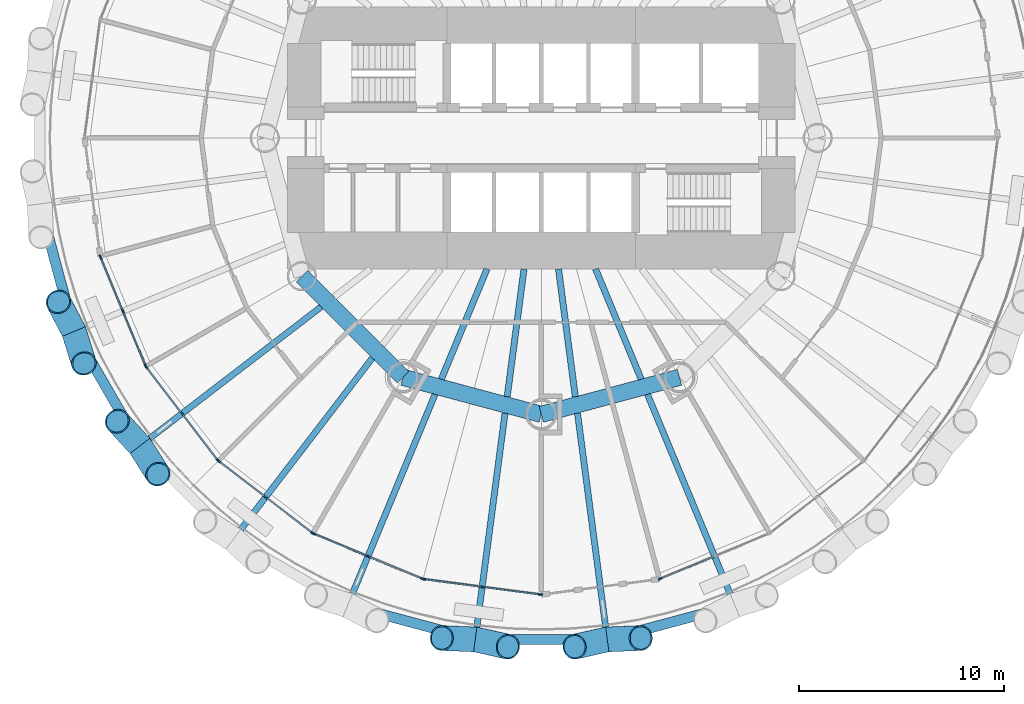
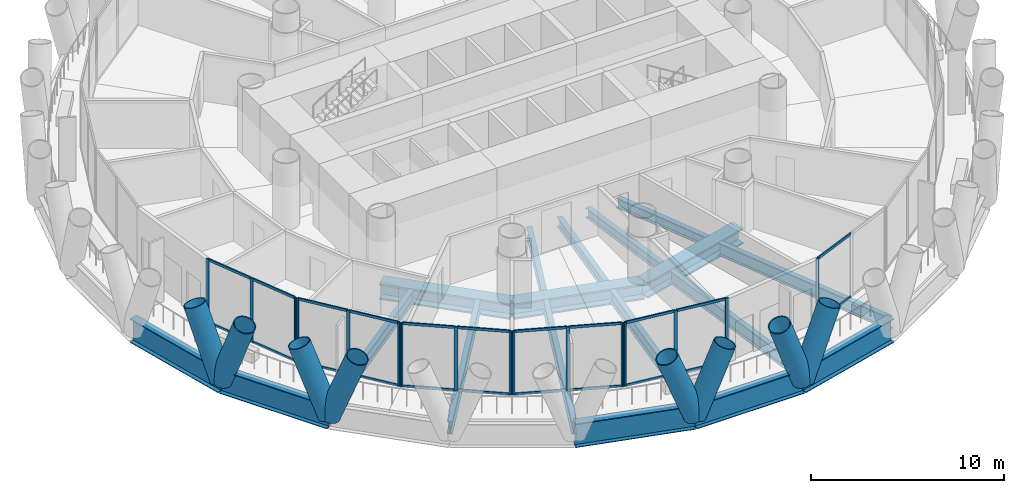
# One storey, part 2 of 15: 46 members, 18 beams, 6 elements without a shape of their own.
"""IFC4 building model written with IfcOpenShell, lengths in metres."""

from ifc_helpers import new_model, si_unit, direction, frame, origin, origin_2d, place, context, subcontext, project, spatial, rectangle, hollow_circle, i_section, extrude, material, material_profile, profile_set, type_object, element, aggregate, save


model = new_model("IFC4")

# Units and contexts
model_context = context("Model", 3, precision=1e-05, world=origin(), true_north=direction((0.0, 1.0)))
body_context = subcontext(model_context, "Body", "Model", "MODEL_VIEW")
ifc_project = project(units=[si_unit("LENGTHUNIT", "METRE"), si_unit("AREAUNIT", "SQUARE_METRE"), si_unit("VOLUMEUNIT", "CUBIC_METRE"), si_unit("PLANEANGLEUNIT", "RADIAN"), si_unit("MASSUNIT", "GRAM", prefix="KILO")], contexts=[model_context])

# Site, building, storey
site_placement = place(None, origin())
site = spatial("IfcSite", under=ifc_project, at=site_placement, CompositionType="ELEMENT")
building_placement = place(site_placement, origin())
building = spatial("IfcBuilding", under=site, at=building_placement, Name="Qaws Media Tower", CompositionType="ELEMENT")
storey_placement = place(building_placement, frame((0.0, 0.0, 51.199951171875)))
storey = spatial("IfcBuildingStorey", under=building, at=storey_placement, Name="L10", CompositionType="ELEMENT", Elevation=51.199951171875)

# Curtain wall, members
ifc_material_1 = material(Name="Aluminium and clear glass", Category="aluminium")
curtain_wall_type = type_object("IfcCurtainWallType", Name="Unitised curtain wall CW-A", PredefinedType="NOTDEFINED", material=ifc_material_1)
curtain_wall_1_placement = place(storey_placement, origin())
curtain_wall_1 = element("IfcCurtainWall", 1, at=curtain_wall_1_placement, inside=storey, type_object=curtain_wall_type, Name="CWA curtain wall L10-14", PredefinedType="NOTDEFINED")
ifc_material_2 = material(Name="Aluminium mullion", Category="aluminium")
ifc_material_profile_1 = material_profile(ifc_material_2, rectangle(XDim=0.080078125, YDim=0.199951171875, at=origin_2d()), Name="80x200")
ifc_profile_set_1 = profile_set([ifc_material_profile_1], Name="Aluminium mullion")
member_type_1 = type_object("IfcMemberType", Name="Curtain wall mullion 80x200", PredefinedType="MULLION", material=ifc_profile_set_1)
member_1_placement = place(storey_placement, frame((38.47509765625, 44.19140625, 0.0), z_axis=(0.0, 0.0, 1.0), x_axis=(0.923879550732, 0.382683388377, 0.0)))
member_1 = element("IfcMember", 2, at=member_1_placement, type_object=member_type_1, Name="CWA mullion 1", PredefinedType="MULLION", context=body_context, shape_type="SweptSolid", body=[
    extrude(rectangle(XDim=0.080078125, YDim=0.199951171875, at=origin_2d()), origin(), (0.0, 0.0, 1.0), 4.0400390625),
])
member_2_placement = place(storey_placement, frame((39.57373046875, 41.5390625, 0.0), z_axis=(0.0, 0.0, 1.0), x_axis=(0.923879550732, 0.382683388377, 0.0)))
member_2 = element("IfcMember", 3, at=member_2_placement, type_object=member_type_1, Name="CWA mullion 2", PredefinedType="MULLION", context=body_context, shape_type="SweptSolid", body=[
    extrude(rectangle(XDim=0.080078125, YDim=0.199951171875, at=origin_2d()), origin(), (0.0, 0.0, 1.0), 4.0400390625),
])
member_3_placement = place(storey_placement, frame((40.67236328125, 38.886962890625, 0.0), z_axis=(0.0, 0.0, 1.0), x_axis=(0.923879550732, 0.382683388377, 0.0)))
member_3 = element("IfcMember", 4, at=member_3_placement, type_object=member_type_1, Name="CWA mullion 3", PredefinedType="MULLION", context=body_context, shape_type="SweptSolid", body=[
    extrude(rectangle(XDim=0.080078125, YDim=0.199951171875, at=origin_2d()), origin(), (0.0, 0.0, 1.0), 4.0400390625),
])

curtain_wall_2_placement = place(storey_placement, origin())
curtain_wall_2 = element("IfcCurtainWall", 5, at=curtain_wall_2_placement, inside=storey, type_object=curtain_wall_type, Name="CWA curtain wall L10-15", PredefinedType="NOTDEFINED")
member_4_placement = place(storey_placement, frame((40.7119140625, 38.818359375, 0.0), z_axis=(0.0, 0.0, 1.0), x_axis=(0.793353266852, 0.608761524717, 0.0)))
member_4 = element("IfcMember", 6, at=member_4_placement, type_object=member_type_1, Name="CWA mullion 1", PredefinedType="MULLION", context=body_context, shape_type="SweptSolid", body=[
    extrude(rectangle(XDim=0.080078125, YDim=0.199951171875, at=origin_2d()), origin(), (0.0, 0.0, 1.0), 4.0400390625),
])
member_5_placement = place(storey_placement, frame((42.45947265625, 36.540771484375, 0.0), z_axis=(0.0, 0.0, 1.0), x_axis=(0.793353266852, 0.608761524717, 0.0)))
member_5 = element("IfcMember", 7, at=member_5_placement, type_object=member_type_1, Name="CWA mullion 2", PredefinedType="MULLION", context=body_context, shape_type="SweptSolid", body=[
    extrude(rectangle(XDim=0.080078125, YDim=0.199951171875, at=origin_2d()), origin(), (0.0, 0.0, 1.0), 4.0400390625),
])
member_6_placement = place(storey_placement, frame((44.207275390625, 34.26318359375, 0.0), z_axis=(0.0, 0.0, 1.0), x_axis=(0.793353266852, 0.608761524717, 0.0)))
member_6 = element("IfcMember", 8, at=member_6_placement, type_object=member_type_1, Name="CWA mullion 3", PredefinedType="MULLION", context=body_context, shape_type="SweptSolid", body=[
    extrude(rectangle(XDim=0.080078125, YDim=0.199951171875, at=origin_2d()), origin(), (0.0, 0.0, 1.0), 4.0400390625),
])

curtain_wall_3_placement = place(storey_placement, origin())
curtain_wall_3 = element("IfcCurtainWall", 9, at=curtain_wall_3_placement, inside=storey, type_object=curtain_wall_type, Name="CWA curtain wall L10-16", PredefinedType="NOTDEFINED")
member_7_placement = place(storey_placement, frame((44.26318359375, 34.207275390625, 0.0), z_axis=(0.0, 0.0, 1.0), x_axis=(0.608761524717, 0.793353266852, 0.0)))
member_7 = element("IfcMember", 10, at=member_7_placement, type_object=member_type_1, Name="CWA mullion 1", PredefinedType="MULLION", context=body_context, shape_type="SweptSolid", body=[
    extrude(rectangle(XDim=0.080078125, YDim=0.199951171875, at=origin_2d()), origin(), (0.0, 0.0, 1.0), 4.0400390625),
])
member_8_placement = place(storey_placement, frame((46.540771484375, 32.45947265625, 0.0), z_axis=(0.0, 0.0, 1.0), x_axis=(0.608761524717, 0.793353266852, 0.0)))
member_8 = element("IfcMember", 11, at=member_8_placement, type_object=member_type_1, Name="CWA mullion 2", PredefinedType="MULLION", context=body_context, shape_type="SweptSolid", body=[
    extrude(rectangle(XDim=0.080078125, YDim=0.199951171875, at=origin_2d()), origin(), (0.0, 0.0, 1.0), 4.0400390625),
])
member_9_placement = place(storey_placement, frame((48.818359375, 30.7119140625, 0.0), z_axis=(0.0, 0.0, 1.0), x_axis=(0.608761524717, 0.793353266852, 0.0)))
member_9 = element("IfcMember", 12, at=member_9_placement, type_object=member_type_1, Name="CWA mullion 3", PredefinedType="MULLION", context=body_context, shape_type="SweptSolid", body=[
    extrude(rectangle(XDim=0.080078125, YDim=0.199951171875, at=origin_2d()), origin(), (0.0, 0.0, 1.0), 4.0400390625),
])

curtain_wall_4_placement = place(storey_placement, origin())
curtain_wall_4 = element("IfcCurtainWall", 13, at=curtain_wall_4_placement, inside=storey, type_object=curtain_wall_type, Name="CWA curtain wall L10-17", PredefinedType="NOTDEFINED")
member_10_placement = place(storey_placement, frame((48.886962890625, 30.67236328125, 0.0), z_axis=(0.0, 0.0, 1.0), x_axis=(0.382683388377, 0.923879550732, 0.0)))
member_10 = element("IfcMember", 14, at=member_10_placement, type_object=member_type_1, Name="CWA mullion 1", PredefinedType="MULLION", context=body_context, shape_type="SweptSolid", body=[
    extrude(rectangle(XDim=0.080078125, YDim=0.199951171875, at=origin_2d()), origin(), (0.0, 0.0, 1.0), 4.0400390625),
])
member_11_placement = place(storey_placement, frame((51.5390625, 29.57373046875, 0.0), z_axis=(0.0, 0.0, 1.0), x_axis=(0.382683388377, 0.923879550732, 0.0)))
member_11 = element("IfcMember", 15, at=member_11_placement, type_object=member_type_1, Name="CWA mullion 2", PredefinedType="MULLION", context=body_context, shape_type="SweptSolid", body=[
    extrude(rectangle(XDim=0.080078125, YDim=0.199951171875, at=origin_2d()), origin(), (0.0, 0.0, 1.0), 4.0400390625),
])
member_12_placement = place(storey_placement, frame((54.19140625, 28.47509765625, 0.0), z_axis=(0.0, 0.0, 1.0), x_axis=(0.382683388377, 0.923879550732, 0.0)))
member_12 = element("IfcMember", 16, at=member_12_placement, type_object=member_type_1, Name="CWA mullion 3", PredefinedType="MULLION", context=body_context, shape_type="SweptSolid", body=[
    extrude(rectangle(XDim=0.080078125, YDim=0.199951171875, at=origin_2d()), origin(), (0.0, 0.0, 1.0), 4.0400390625),
])

curtain_wall_5_placement = place(storey_placement, origin())
curtain_wall_5 = element("IfcCurtainWall", 17, at=curtain_wall_5_placement, inside=storey, type_object=curtain_wall_type, Name="CWA curtain wall L10-18", PredefinedType="NOTDEFINED")
member_13_placement = place(storey_placement, frame((54.26806640625, 28.45458984375, 0.0), z_axis=(0.0, 0.0, 1.0), x_axis=(0.13052617322, 0.991444863875, 0.0)))
member_13 = element("IfcMember", 18, at=member_13_placement, type_object=member_type_1, Name="CWA mullion 1", PredefinedType="MULLION", context=body_context, shape_type="SweptSolid", body=[
    extrude(rectangle(XDim=0.080078125, YDim=0.199951171875, at=origin_2d()), origin(), (0.0, 0.0, 1.0), 4.0400390625),
])
member_14_placement = place(storey_placement, frame((57.1142578125, 28.079833984375, 0.0), z_axis=(0.0, 0.0, 1.0), x_axis=(0.13052617322, 0.991444863875, 0.0)))
member_14 = element("IfcMember", 19, at=member_14_placement, type_object=member_type_1, Name="CWA mullion 2", PredefinedType="MULLION", context=body_context, shape_type="SweptSolid", body=[
    extrude(rectangle(XDim=0.080078125, YDim=0.199951171875, at=origin_2d()), origin(), (0.0, 0.0, 1.0), 4.0400390625),
])
member_15_placement = place(storey_placement, frame((59.96044921875, 27.705322265625, 0.0), z_axis=(0.0, 0.0, 1.0), x_axis=(0.13052617322, 0.991444863875, 0.0)))
member_15 = element("IfcMember", 20, at=member_15_placement, type_object=member_type_1, Name="CWA mullion 3", PredefinedType="MULLION", context=body_context, shape_type="SweptSolid", body=[
    extrude(rectangle(XDim=0.080078125, YDim=0.199951171875, at=origin_2d()), origin(), (0.0, 0.0, 1.0), 4.0400390625),
])

# Curtain wall, member
curtain_wall_6_placement = place(storey_placement, origin())
curtain_wall_6 = element("IfcCurtainWall", 21, at=curtain_wall_6_placement, inside=storey, type_object=curtain_wall_type, Name="CWA curtain wall L10-20", PredefinedType="NOTDEFINED")
member_16_placement = place(storey_placement, frame((65.80859375, 28.47509765625, 0.0), z_axis=(0.0, 0.0, 1.0), x_axis=(-0.382683388377, 0.923879550732, 0.0)))
member_16 = element("IfcMember", 22, at=member_16_placement, type_object=member_type_1, Name="CWA mullion 1", PredefinedType="MULLION", context=body_context, shape_type="SweptSolid", body=[
    extrude(rectangle(XDim=0.080078125, YDim=0.199951171875, at=origin_2d()), origin(), (0.0, 0.0, 1.0), 4.0400390625),
])

# Member
ifc_material_3 = material(Name="Aluminium transom", Category="aluminium")
ifc_material_profile_2 = material_profile(ifc_material_3, rectangle(XDim=0.080078125, YDim=0.159912109375, at=origin_2d()), Name="80x160")
ifc_profile_set_2 = profile_set([ifc_material_profile_2], Name="Aluminium transom")
member_type_2 = type_object("IfcMemberType", Name="Curtain wall transom 80x160", PredefinedType="USERDEFINED", material=ifc_profile_set_2)
member_17_placement = place(storey_placement, frame((38.490478515625, 44.154541015625, 0.0400390625), z_axis=(0.38264539254, -0.923895288205, 0.0), x_axis=(0.923895288205, 0.38264539254, 0.0)))
member_17 = element("IfcMember", 23, at=member_17_placement, type_object=member_type_2, Name="CWA transom 1.1", ObjectType="TRANSOM", PredefinedType="USERDEFINED", context=body_context, shape_type="SweptSolid", body=[
    extrude(rectangle(XDim=0.080078125, YDim=0.159912109375, at=origin_2d()), origin(), (0.0, 0.0, 1.0), 2.790771484375),
])

member_18_placement = place(storey_placement, frame((38.490478515625, 44.154541015625, 4.0), z_axis=(0.38264539254, -0.923895288205, 0.0), x_axis=(0.923895288205, 0.38264539254, 0.0)))
member_18 = element("IfcMember", 24, at=member_18_placement, type_object=member_type_2, Name="CWA transom 1.2", ObjectType="TRANSOM", PredefinedType="USERDEFINED", context=body_context, shape_type="SweptSolid", body=[
    extrude(rectangle(XDim=0.080078125, YDim=0.159912109375, at=origin_2d()), origin(), (0.0, 0.0, 1.0), 2.790771484375),
])

member_19_placement = place(storey_placement, frame((39.589111328125, 41.502197265625, 0.0400390625), z_axis=(0.38264539254, -0.923895288205, 0.0), x_axis=(0.923895288205, 0.38264539254, 0.0)))
member_19 = element("IfcMember", 25, at=member_19_placement, type_object=member_type_2, Name="CWA transom 2.1", ObjectType="TRANSOM", PredefinedType="USERDEFINED", context=body_context, shape_type="SweptSolid", body=[
    extrude(rectangle(XDim=0.080078125, YDim=0.159912109375, at=origin_2d()), origin(), (0.0, 0.0, 1.0), 2.790771484375),
])

member_20_placement = place(storey_placement, frame((39.589111328125, 41.502197265625, 4.0), z_axis=(0.38264539254, -0.923895288205, 0.0), x_axis=(0.923895288205, 0.38264539254, 0.0)))
member_20 = element("IfcMember", 26, at=member_20_placement, type_object=member_type_2, Name="CWA transom 2.2", ObjectType="TRANSOM", PredefinedType="USERDEFINED", context=body_context, shape_type="SweptSolid", body=[
    extrude(rectangle(XDim=0.080078125, YDim=0.159912109375, at=origin_2d()), origin(), (0.0, 0.0, 1.0), 2.790771484375),
])

aggregate(curtain_wall_1, [member_1, member_2, member_3, member_17, member_18, member_19, member_20])

member_21_placement = place(storey_placement, frame((40.736328125, 38.78662109375, 0.0400390625), z_axis=(0.608767570739, -0.793348627538, 0.0), x_axis=(0.793348627538, 0.608767570739, 0.0)))
member_21 = element("IfcMember", 27, at=member_21_placement, type_object=member_type_2, Name="CWA transom 1.1", ObjectType="TRANSOM", PredefinedType="USERDEFINED", context=body_context, shape_type="SweptSolid", body=[
    extrude(rectangle(XDim=0.080078125, YDim=0.159912109375, at=origin_2d()), origin(), (0.0, 0.0, 1.0), 2.790771484375),
])

member_22_placement = place(storey_placement, frame((40.736328125, 38.78662109375, 4.0), z_axis=(0.608767570739, -0.793348627538, 0.0), x_axis=(0.793348627538, 0.608767570739, 0.0)))
member_22 = element("IfcMember", 28, at=member_22_placement, type_object=member_type_2, Name="CWA transom 1.2", ObjectType="TRANSOM", PredefinedType="USERDEFINED", context=body_context, shape_type="SweptSolid", body=[
    extrude(rectangle(XDim=0.080078125, YDim=0.159912109375, at=origin_2d()), origin(), (0.0, 0.0, 1.0), 2.790771484375),
])

member_23_placement = place(storey_placement, frame((42.48388671875, 36.509033203125, 0.0400390625), z_axis=(0.608767570739, -0.793348627538, 0.0), x_axis=(0.793348627538, 0.608767570739, 0.0)))
member_23 = element("IfcMember", 29, at=member_23_placement, type_object=member_type_2, Name="CWA transom 2.1", ObjectType="TRANSOM", PredefinedType="USERDEFINED", context=body_context, shape_type="SweptSolid", body=[
    extrude(rectangle(XDim=0.080078125, YDim=0.159912109375, at=origin_2d()), origin(), (0.0, 0.0, 1.0), 2.790771484375),
])

member_24_placement = place(storey_placement, frame((42.48388671875, 36.509033203125, 4.0), z_axis=(0.608767570739, -0.793348627538, 0.0), x_axis=(0.793348627538, 0.608767570739, 0.0)))
member_24 = element("IfcMember", 30, at=member_24_placement, type_object=member_type_2, Name="CWA transom 2.2", ObjectType="TRANSOM", PredefinedType="USERDEFINED", context=body_context, shape_type="SweptSolid", body=[
    extrude(rectangle(XDim=0.080078125, YDim=0.159912109375, at=origin_2d()), origin(), (0.0, 0.0, 1.0), 2.790771484375),
])

aggregate(curtain_wall_2, [member_4, member_5, member_6, member_21, member_22, member_23, member_24])

member_25_placement = place(storey_placement, frame((44.294921875, 34.182861328125, 0.0400390625), z_axis=(0.793348627538, -0.608767570739, 0.0), x_axis=(0.608767570739, 0.793348627538, 0.0)))
member_25 = element("IfcMember", 31, at=member_25_placement, type_object=member_type_2, Name="CWA transom 1.1", ObjectType="TRANSOM", PredefinedType="USERDEFINED", context=body_context, shape_type="SweptSolid", body=[
    extrude(rectangle(XDim=0.080078125, YDim=0.159912109375, at=origin_2d()), origin(), (0.0, 0.0, 1.0), 2.790771484375),
])

member_26_placement = place(storey_placement, frame((44.294921875, 34.182861328125, 4.0), z_axis=(0.793348627538, -0.608767570739, 0.0), x_axis=(0.608767570739, 0.793348627538, 0.0)))
member_26 = element("IfcMember", 32, at=member_26_placement, type_object=member_type_2, Name="CWA transom 1.2", ObjectType="TRANSOM", PredefinedType="USERDEFINED", context=body_context, shape_type="SweptSolid", body=[
    extrude(rectangle(XDim=0.080078125, YDim=0.159912109375, at=origin_2d()), origin(), (0.0, 0.0, 1.0), 2.790771484375),
])

member_27_placement = place(storey_placement, frame((46.572509765625, 32.435302734375, 0.0400390625), z_axis=(0.793348627538, -0.608767570739, 0.0), x_axis=(0.608767570739, 0.793348627538, 0.0)))
member_27 = element("IfcMember", 33, at=member_27_placement, type_object=member_type_2, Name="CWA transom 2.1", ObjectType="TRANSOM", PredefinedType="USERDEFINED", context=body_context, shape_type="SweptSolid", body=[
    extrude(rectangle(XDim=0.080078125, YDim=0.159912109375, at=origin_2d()), origin(), (0.0, 0.0, 1.0), 2.790771484375),
])

member_28_placement = place(storey_placement, frame((46.572509765625, 32.435302734375, 4.0), z_axis=(0.793348627538, -0.608767570739, 0.0), x_axis=(0.608767570739, 0.793348627538, 0.0)))
member_28 = element("IfcMember", 34, at=member_28_placement, type_object=member_type_2, Name="CWA transom 2.2", ObjectType="TRANSOM", PredefinedType="USERDEFINED", context=body_context, shape_type="SweptSolid", body=[
    extrude(rectangle(XDim=0.080078125, YDim=0.159912109375, at=origin_2d()), origin(), (0.0, 0.0, 1.0), 2.790771484375),
])

aggregate(curtain_wall_3, [member_7, member_8, member_9, member_25, member_26, member_27, member_28])

member_29_placement = place(storey_placement, frame((48.923828125, 30.656982421875, 0.0400390625), z_axis=(0.923895288205, -0.38264539254, 0.0), x_axis=(0.38264539254, 0.923895288205, 0.0)))
member_29 = element("IfcMember", 35, at=member_29_placement, type_object=member_type_2, Name="CWA transom 1.1", ObjectType="TRANSOM", PredefinedType="USERDEFINED", context=body_context, shape_type="SweptSolid", body=[
    extrude(rectangle(XDim=0.080078125, YDim=0.159912109375, at=origin_2d()), origin(), (0.0, 0.0, 1.0), 2.790771484375),
])

member_30_placement = place(storey_placement, frame((48.923828125, 30.656982421875, 4.0), z_axis=(0.923895288205, -0.38264539254, 0.0), x_axis=(0.38264539254, 0.923895288205, 0.0)))
member_30 = element("IfcMember", 36, at=member_30_placement, type_object=member_type_2, Name="CWA transom 1.2", ObjectType="TRANSOM", PredefinedType="USERDEFINED", context=body_context, shape_type="SweptSolid", body=[
    extrude(rectangle(XDim=0.080078125, YDim=0.159912109375, at=origin_2d()), origin(), (0.0, 0.0, 1.0), 2.790771484375),
])

member_31_placement = place(storey_placement, frame((51.576171875, 29.558349609375, 0.0400390625), z_axis=(0.923895288205, -0.38264539254, 0.0), x_axis=(0.38264539254, 0.923895288205, 0.0)))
member_31 = element("IfcMember", 37, at=member_31_placement, type_object=member_type_2, Name="CWA transom 2.1", ObjectType="TRANSOM", PredefinedType="USERDEFINED", context=body_context, shape_type="SweptSolid", body=[
    extrude(rectangle(XDim=0.080078125, YDim=0.159912109375, at=origin_2d()), origin(), (0.0, 0.0, 1.0), 2.790771484375),
])

member_32_placement = place(storey_placement, frame((51.576171875, 29.558349609375, 4.0), z_axis=(0.923895288205, -0.38264539254, 0.0), x_axis=(0.38264539254, 0.923895288205, 0.0)))
member_32 = element("IfcMember", 38, at=member_32_placement, type_object=member_type_2, Name="CWA transom 2.2", ObjectType="TRANSOM", PredefinedType="USERDEFINED", context=body_context, shape_type="SweptSolid", body=[
    extrude(rectangle(XDim=0.080078125, YDim=0.159912109375, at=origin_2d()), origin(), (0.0, 0.0, 1.0), 2.790771484375),
])

aggregate(curtain_wall_4, [member_10, member_11, member_12, member_29, member_30, member_31, member_32])

member_33_placement = place(storey_placement, frame((54.3076171875, 28.449462890625, 0.0400390625), z_axis=(0.991445062381, -0.130524665408, 0.0), x_axis=(0.130524665408, 0.991445062381, 0.0)))
member_33 = element("IfcMember", 39, at=member_33_placement, type_object=member_type_2, Name="CWA transom 1.1", ObjectType="TRANSOM", PredefinedType="USERDEFINED", context=body_context, shape_type="SweptSolid", body=[
    extrude(rectangle(XDim=0.080078125, YDim=0.159912109375, at=origin_2d()), origin(), (0.0, 0.0, 1.0), 2.790771484375),
])

member_34_placement = place(storey_placement, frame((54.3076171875, 28.449462890625, 4.0), z_axis=(0.991445062381, -0.130524665408, 0.0), x_axis=(0.130524665408, 0.991445062381, 0.0)))
member_34 = element("IfcMember", 40, at=member_34_placement, type_object=member_type_2, Name="CWA transom 1.2", ObjectType="TRANSOM", PredefinedType="USERDEFINED", context=body_context, shape_type="SweptSolid", body=[
    extrude(rectangle(XDim=0.080078125, YDim=0.159912109375, at=origin_2d()), origin(), (0.0, 0.0, 1.0), 2.790771484375),
])

member_35_placement = place(storey_placement, frame((57.15380859375, 28.07470703125, 0.0400390625), z_axis=(0.991445062381, -0.130524665408, 0.0), x_axis=(0.130524665408, 0.991445062381, 0.0)))
member_35 = element("IfcMember", 41, at=member_35_placement, type_object=member_type_2, Name="CWA transom 2.1", ObjectType="TRANSOM", PredefinedType="USERDEFINED", context=body_context, shape_type="SweptSolid", body=[
    extrude(rectangle(XDim=0.080078125, YDim=0.159912109375, at=origin_2d()), origin(), (0.0, 0.0, 1.0), 2.790771484375),
])

member_36_placement = place(storey_placement, frame((57.15380859375, 28.07470703125, 4.0), z_axis=(0.991445062381, -0.130524665408, 0.0), x_axis=(0.130524665408, 0.991445062381, 0.0)))
member_36 = element("IfcMember", 42, at=member_36_placement, type_object=member_type_2, Name="CWA transom 2.2", ObjectType="TRANSOM", PredefinedType="USERDEFINED", context=body_context, shape_type="SweptSolid", body=[
    extrude(rectangle(XDim=0.080078125, YDim=0.159912109375, at=origin_2d()), origin(), (0.0, 0.0, 1.0), 2.790771484375),
])

aggregate(curtain_wall_5, [member_13, member_14, member_15, member_33, member_34, member_35, member_36])

member_37_placement = place(storey_placement, frame((65.845458984375, 28.490478515625, 0.0400390625), z_axis=(0.923895288205, 0.38264539254, 0.0), x_axis=(-0.38264539254, 0.923895288205, 0.0)))
member_37 = element("IfcMember", 43, at=member_37_placement, type_object=member_type_2, Name="CWA transom 1.1", ObjectType="TRANSOM", PredefinedType="USERDEFINED", context=body_context, shape_type="SweptSolid", body=[
    extrude(rectangle(XDim=0.080078125, YDim=0.159912109375, at=origin_2d()), origin(), (0.0, 0.0, 1.0), 2.790771484375),
])

member_38_placement = place(storey_placement, frame((65.845458984375, 28.490478515625, 4.0), z_axis=(0.923895288205, 0.38264539254, 0.0), x_axis=(-0.38264539254, 0.923895288205, 0.0)))
member_38 = element("IfcMember", 44, at=member_38_placement, type_object=member_type_2, Name="CWA transom 1.2", ObjectType="TRANSOM", PredefinedType="USERDEFINED", context=body_context, shape_type="SweptSolid", body=[
    extrude(rectangle(XDim=0.080078125, YDim=0.159912109375, at=origin_2d()), origin(), (0.0, 0.0, 1.0), 2.790771484375),
])

aggregate(curtain_wall_6, [member_16, member_37, member_38])

# Members
ifc_material_4 = material(Name="Steel S460", Category="steel")
ifc_material_profile_3 = material_profile(ifc_material_4, hollow_circle(Radius=0.609619140625, WallThickness=0.06005859375, at=origin_2d()), Name="CHS 1219x60")
ifc_profile_set_3 = profile_set([ifc_material_profile_3], Name="Steel S460")
member_type_3 = type_object("IfcMemberType", Name="Diagrid member CHS 1219x60", PredefinedType="USERDEFINED", material=ifc_profile_set_3)
for number, where, z_axis, x_axis, name in (
    (45, (37.18017578125, 40.547607421875, -0.909912109375), (0.108230640717, -0.346251379112, 0.931877733865), (0.954458719978, 0.298343010406, 0.0), "DG1 diagrid L10 A14"),
    (46, (37.18017578125, 40.547607421875, -0.909912109375), (-0.168356184605, 0.321382639402, 0.931863398893), (-0.885816923301, -0.464034889199, 0.0), "DG1 diagrid L10 B14"),
    (47, (40.404052734375, 34.963623046875, -0.909912109375), (0.19419319901, -0.306483994421, 0.931856513967), (0.844711082907, 0.535222557834, 0.0), "DG1 diagrid L10 A15"),
    (48, (40.404052734375, 34.963623046875, -0.909912109375), (-0.24576691162, 0.266838837699, 0.931877491867), (-0.735552937584, -0.677467250877, 0.0), "DG1 diagrid L10 B15"),
    (49, (56.776123046875, 25.51123046875, -0.909912109375), (0.353994649017, -0.079411806497, 0.931869923035), (0.218890390153, 0.97574945406, 0.0), "DG1 diagrid L10 A18"),
    (50, (56.776123046875, 25.51123046875, -0.909912109375), (-0.362497534698, 0.014896416922, 0.931865673851), (-0.041059189611, -0.99915671591, 0.0), "DG1 diagrid L10 B18"),
    (51, (63.223876953125, 25.51123046875, -0.909912109375), (0.362497534698, 0.014896416922, 0.931865673851), (-0.041059189611, 0.99915671591, 0.0), "DG1 diagrid L10 A19"),
    (52, (63.223876953125, 25.51123046875, -0.909912109375), (-0.353994649017, -0.079411806497, 0.931869923035), (0.218890390153, -0.97574945406, 0.0), "DG1 diagrid L10 B19"),
):
    element("IfcMember", number, at=place(storey_placement, frame(where, z_axis=z_axis, x_axis=x_axis)), inside=storey, type_object=member_type_3, Name=name, ObjectType="DIAGRID", PredefinedType="USERDEFINED", context=body_context, shape_type="SweptSolid", body=[
        extrude(hollow_circle(Radius=0.609619140625, WallThickness=0.06005859375, at=origin_2d()), origin(), (0.0, 0.0, 1.0), 4.507080078125),
    ])

# Beams
ifc_material_5 = material(Name="Steel S460", Category="steel")
ifc_material_profile_4 = material_profile(ifc_material_5, i_section(OverallWidth=0.5, OverallDepth=1.5, WebThickness=0.02001953125, FlangeThickness=0.0400390625, at=origin_2d()), Name="PG 1500x500")
ifc_profile_set_4 = profile_set([ifc_material_profile_4], Name="Steel S460")
beam_type_1 = type_object("IfcBeamType", Name="Edge ring beam PG 1500x500", PredefinedType="BEAM", material=ifc_profile_set_4)
beam_1_placement = place(storey_placement, frame((35.51123046875, 46.776123046875, -0.909912109375), z_axis=(0.25882187829, -0.965925067134, 0.0), x_axis=(0.965925067134, 0.25882187829, 0.0)))
element("IfcBeam", 53, at=beam_1_placement, inside=storey, type_object=beam_type_1, Name="RB4 edge ring beam L10-13", PredefinedType="BEAM", context=body_context, shape_type="SweptSolid", body=[
    extrude(i_section(OverallWidth=0.5, OverallDepth=1.5, WebThickness=0.02001953125, FlangeThickness=0.0400390625, at=origin_2d()), origin(), (0.0, 0.0, 1.0), 6.4482421875),
])
beam_2_placement = place(storey_placement, frame((37.18017578125, 40.547607421875, -0.909912109375), z_axis=(0.499995588155, -0.866027950949, 0.0), x_axis=(0.866027950949, 0.499995588155, 0.0)))
element("IfcBeam", 54, at=beam_2_placement, inside=storey, type_object=beam_type_1, Name="RB4 edge ring beam L10-14", PredefinedType="BEAM", context=body_context, shape_type="SweptSolid", body=[
    extrude(i_section(OverallWidth=0.5, OverallDepth=1.5, WebThickness=0.02001953125, FlangeThickness=0.0400390625, at=origin_2d()), origin(), (0.0, 0.0, 1.0), 6.44775390625),
])
beam_3_placement = place(storey_placement, frame((50.547607421875, 27.18017578125, -0.909912109375), z_axis=(0.965925067134, -0.25882187829, 0.0), x_axis=(0.25882187829, 0.965925067134, 0.0)))
element("IfcBeam", 55, at=beam_3_placement, inside=storey, type_object=beam_type_1, Name="RB4 edge ring beam L10-17", PredefinedType="BEAM", context=body_context, shape_type="SweptSolid", body=[
    extrude(i_section(OverallWidth=0.5, OverallDepth=1.5, WebThickness=0.02001953125, FlangeThickness=0.0400390625, at=origin_2d()), origin(), (0.0, 0.0, 1.0), 6.4482421875),
])
beam_4_placement = place(storey_placement, frame((56.776123046875, 25.51123046875, -0.909912109375), z_axis=(1.0, 0.0, 0.0), x_axis=(0.0, 1.0, 0.0)))
element("IfcBeam", 56, at=beam_4_placement, inside=storey, type_object=beam_type_1, Name="RB4 edge ring beam L10-18", PredefinedType="BEAM", context=body_context, shape_type="SweptSolid", body=[
    extrude(i_section(OverallWidth=0.5, OverallDepth=1.5, WebThickness=0.02001953125, FlangeThickness=0.0400390625, at=origin_2d()), origin(), (0.0, 0.0, 1.0), 6.44775390625),
])
beam_5_placement = place(storey_placement, frame((63.223876953125, 25.51123046875, -0.909912109375), z_axis=(0.965925067134, 0.25882187829, 0.0), x_axis=(-0.25882187829, 0.965925067134, 0.0)))
element("IfcBeam", 57, at=beam_5_placement, inside=storey, type_object=beam_type_1, Name="RB4 edge ring beam L10-19", PredefinedType="BEAM", context=body_context, shape_type="SweptSolid", body=[
    extrude(i_section(OverallWidth=0.5, OverallDepth=1.5, WebThickness=0.02001953125, FlangeThickness=0.0400390625, at=origin_2d()), origin(), (0.0, 0.0, 1.0), 6.4482421875),
])
ifc_material_6 = material(Name="Steel S460", Category="steel")
ifc_material_profile_5 = material_profile(ifc_material_6, i_section(OverallWidth=0.800048828125, OverallDepth=1.0, WebThickness=0.0400390625, FlangeThickness=0.10009765625, at=origin_2d()), Name="PG 1000x800")
ifc_profile_set_5 = profile_set([ifc_material_profile_5], Name="Steel S460")
beam_type_2 = type_object("IfcBeamType", Name="Inner ring girder PG 1000x800", PredefinedType="BEAM", material=ifc_profile_set_5)
beam_6_placement = place(storey_placement, frame((48.30859375, 43.25, -0.659912109375), z_axis=(0.707106781187, -0.707106781187, 0.0), x_axis=(0.707106781187, 0.707106781187, 0.0)))
element("IfcBeam", 58, at=beam_6_placement, inside=storey, type_object=beam_type_2, Name="B3 inner ring beam L10 I08-I09", PredefinedType="BEAM", context=body_context, shape_type="SweptSolid", body=[
    extrude(i_section(OverallWidth=0.800048828125, OverallDepth=1.0, WebThickness=0.0400390625, FlangeThickness=0.10009765625, at=origin_2d()), origin(), (0.0, 0.0, 1.0), 6.98828125),
])
for number, where, z_axis, x_axis, name in (
    (59, (53.25, 38.30859375, -0.659912109375), (0.965928090778, -0.258810593767, 0.0), (0.258810593767, 0.965928090778, 0.0), "B3 inner ring beam L10 I09-I10"),
    (60, (60.0, 36.5, -0.659912109375), (0.965928090778, 0.258810593767, 0.0), (-0.258810593767, 0.965928090778, 0.0), "B3 inner ring beam L10 I10-I11"),
):
    element("IfcBeam", number, at=place(storey_placement, frame(where, z_axis=z_axis, x_axis=x_axis)), inside=storey, type_object=beam_type_2, Name=name, PredefinedType="BEAM", context=body_context, shape_type="SweptSolid", body=[
        extrude(i_section(OverallWidth=0.800048828125, OverallDepth=1.0, WebThickness=0.0400390625, FlangeThickness=0.10009765625, at=origin_2d()), origin(), (0.0, 0.0, 1.0), 6.988037109375),
    ])
ifc_material_7 = material(Name="Steel S355", Category="steel")
ifc_material_profile_6 = material_profile(ifc_material_7, i_section(OverallWidth=0.304931640625, OverallDepth=0.6201171875, WebThickness=0.02099609375, FlangeThickness=0.0400390625, FilletRadius=0.027099609375, at=origin_2d()), Name="HE 600 M")
ifc_profile_set_6 = profile_set([ifc_material_profile_6], Name="Steel S355")
beam_type_3 = type_object("IfcBeamType", Name="Radial beam HE 600 M, core side", PredefinedType="BEAM", material=ifc_profile_set_6)
beam_7_placement = place(storey_placement, frame((57.34912109375, 43.60009765625, -0.469970703125), z_axis=(-0.38269993354, -0.923872697328, 0.0), x_axis=(0.923872697328, -0.38269993354, 0.0)))
element("IfcBeam", 61, at=beam_7_placement, inside=storey, type_object=beam_type_3, Name="B2 radial beam L10 17", PredefinedType="BEAM", context=body_context, shape_type="SweptSolid", body=[
    extrude(i_section(OverallWidth=0.304931640625, OverallDepth=0.6201171875, WebThickness=0.02099609375, FlangeThickness=0.0400390625, FilletRadius=0.027099609375, at=origin_2d()), origin(), (0.0, 0.0, 1.0), 5.82177734375),
])
for number, where, z_axis, x_axis, name in (
    (62, (59.157470703125, 43.60009765625, -0.469970703125), (-0.130529769311, -0.991444390434, 0.0), (0.991444390434, -0.130529769311, 0.0), "B2 radial beam L10 18"),
    (63, (60.842529296875, 43.60009765625, -0.469970703125), (0.130529769311, -0.991444390434, 0.0), (0.991444390434, 0.130529769311, 0.0), "B2 radial beam L10 19"),
):
    element("IfcBeam", number, at=place(storey_placement, frame(where, z_axis=z_axis, x_axis=x_axis)), inside=storey, type_object=beam_type_3, Name=name, PredefinedType="BEAM", context=body_context, shape_type="SweptSolid", body=[
        extrude(i_section(OverallWidth=0.304931640625, OverallDepth=0.6201171875, WebThickness=0.02099609375, FlangeThickness=0.0400390625, FilletRadius=0.027099609375, at=origin_2d()), origin(), (0.0, 0.0, 1.0), 6.2939453125),
    ])
beam_8_placement = place(storey_placement, frame((62.65087890625, 43.60009765625, -0.469970703125), z_axis=(0.38269993354, -0.923872697328, 0.0), x_axis=(0.923872697328, 0.38269993354, 0.0)))
element("IfcBeam", 64, at=beam_8_placement, inside=storey, type_object=beam_type_3, Name="B2 radial beam L10 20", PredefinedType="BEAM", context=body_context, shape_type="SweptSolid", body=[
    extrude(i_section(OverallWidth=0.304931640625, OverallDepth=0.6201171875, WebThickness=0.02099609375, FlangeThickness=0.0400390625, FilletRadius=0.027099609375, at=origin_2d()), origin(), (0.0, 0.0, 1.0), 5.82177734375),
])
ifc_material_8 = material(Name="Steel S355", Category="steel")
ifc_material_profile_7 = material_profile(ifc_material_8, i_section(OverallWidth=0.300048828125, OverallDepth=0.800048828125, WebThickness=0.017578125, FlangeThickness=0.032958984375, FilletRadius=0.030029296875, at=origin_2d()), Name="HE 800 B")
ifc_profile_set_7 = profile_set([ifc_material_profile_7], Name="Steel S355")
beam_type_4 = type_object("IfcBeamType", Name="Radial beam HE 800 B", PredefinedType="BEAM", material=ifc_profile_set_7)
for number, where, z_axis, x_axis, name in (
    (65, (49.245361328125, 41.74755859375, -0.56005859375), (-0.793363704309, -0.60874792212, 0.0), (0.60874792212, -0.793363704309, 0.0), "B1 radial beam L10 15"),
    (66, (51.74755859375, 39.245361328125, -0.56005859375), (-0.60874792212, -0.793363704309, 0.0), (0.793363704309, -0.60874792212, 0.0), "B1 radial beam L10 16"),
    (67, (54.812255859375, 37.475830078125, -0.56005859375), (-0.382687169678, -0.923877984457, 0.0), (0.923877984457, -0.382687169678, 0.0), "B1 radial beam L10 17"),
):
    element("IfcBeam", number, at=place(storey_placement, frame(where, z_axis=z_axis, x_axis=x_axis)), inside=storey, type_object=beam_type_4, Name=name, PredefinedType="BEAM", context=body_context, shape_type="SweptSolid", body=[
        extrude(i_section(OverallWidth=0.300048828125, OverallDepth=0.800048828125, WebThickness=0.017578125, FlangeThickness=0.032958984375, FilletRadius=0.030029296875, at=origin_2d()), origin(), (0.0, 0.0, 1.0), 11.14404296875),
    ])
for number, where, z_axis, x_axis, name in (
    (68, (58.230712890625, 36.56005859375, -0.56005859375), (-0.130524783217, -0.991445046872, 0.0), (0.991445046872, -0.130524783217, 0.0), "B1 radial beam L10 18"),
    (69, (61.769287109375, 36.56005859375, -0.56005859375), (0.130524783217, -0.991445046872, 0.0), (0.991445046872, 0.130524783217, 0.0), "B1 radial beam L10 19"),
):
    element("IfcBeam", number, at=place(storey_placement, frame(where, z_axis=z_axis, x_axis=x_axis)), inside=storey, type_object=beam_type_4, Name=name, PredefinedType="BEAM", context=body_context, shape_type="SweptSolid", body=[
        extrude(i_section(OverallWidth=0.300048828125, OverallDepth=0.800048828125, WebThickness=0.017578125, FlangeThickness=0.032958984375, FilletRadius=0.030029296875, at=origin_2d()), origin(), (0.0, 0.0, 1.0), 11.144287109375),
    ])
beam_9_placement = place(storey_placement, frame((65.187744140625, 37.475830078125, -0.56005859375), z_axis=(0.382687169678, -0.923877984457, 0.0), x_axis=(0.923877984457, 0.382687169678, 0.0)))
element("IfcBeam", 70, at=beam_9_placement, inside=storey, type_object=beam_type_4, Name="B1 radial beam L10 20", PredefinedType="BEAM", context=body_context, shape_type="SweptSolid", body=[
    extrude(i_section(OverallWidth=0.300048828125, OverallDepth=0.800048828125, WebThickness=0.017578125, FlangeThickness=0.032958984375, FilletRadius=0.030029296875, at=origin_2d()), origin(), (0.0, 0.0, 1.0), 11.14404296875),
])

save(model, "model.ifc")
